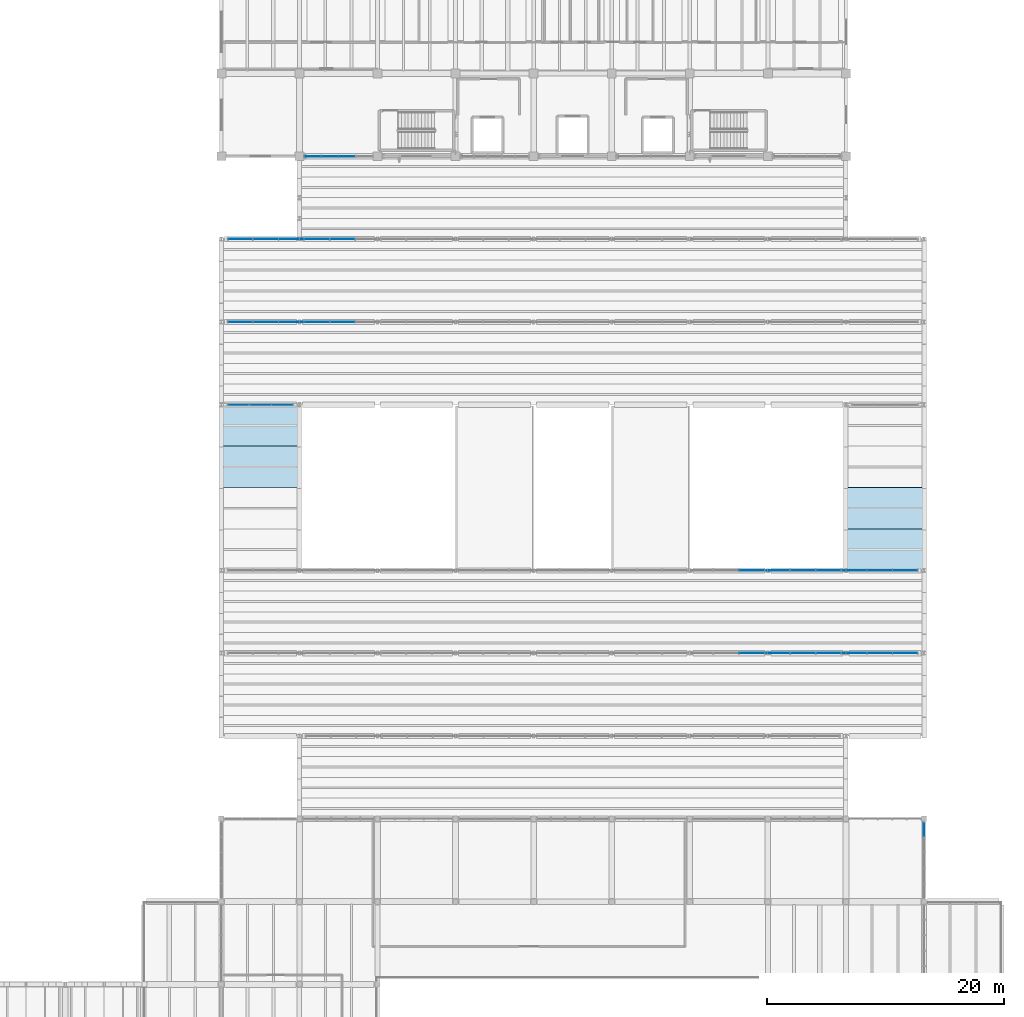
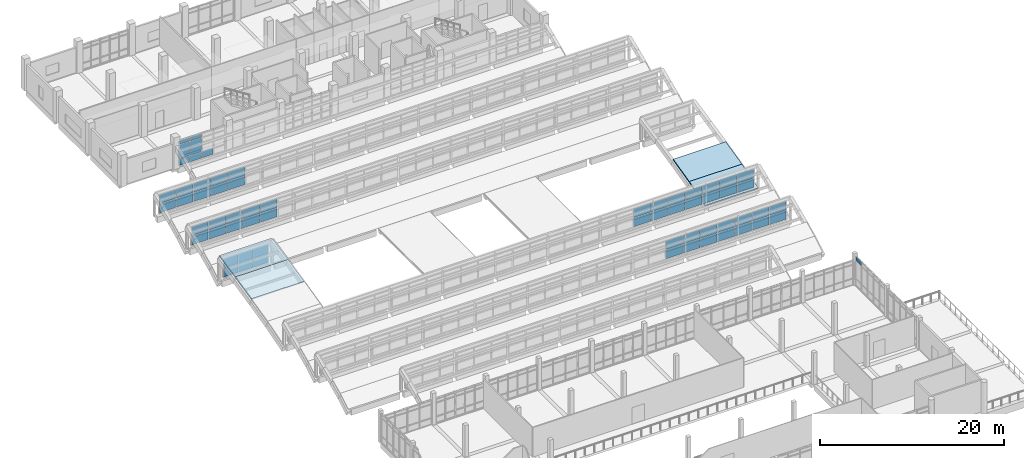
# One storey, part 71 of 92: 62 plates, 4 slabs, 8 elements without a shape of their own.
"""IFC4 building model written with IfcOpenShell, lengths in metres."""

from ifc_helpers import new_model, si_unit, direction, frame, origin, origin_2d, place, context, subcontext, project, spatial, polyline, rectangle, outline, extrude, material, layer, layer_set, type_object, element, aggregate, save


model = new_model("IFC4")

# Units and contexts
model_context = context("Model", 3, precision=1e-05, world=origin(), true_north=direction((0.0, 1.0)))
body_context = subcontext(model_context, "Body", "Model", "MODEL_VIEW")
ifc_project = project(units=[si_unit("LENGTHUNIT", "METRE"), si_unit("AREAUNIT", "SQUARE_METRE"), si_unit("VOLUMEUNIT", "CUBIC_METRE"), si_unit("PLANEANGLEUNIT", "RADIAN"), si_unit("MASSUNIT", "GRAM", prefix="KILO")], contexts=[model_context])

# Site, building, storey
site_placement = place(None, origin())
site = spatial("IfcSite", under=ifc_project, at=site_placement, CompositionType="ELEMENT")
building_placement = place(site_placement, origin())
building = spatial("IfcBuilding", under=site, at=building_placement, Name="Ciguamira Faculty of Natural Sciences", CompositionType="ELEMENT")
storey_placement = place(building_placement, frame((0.0, 0.0, 16.800048828125)))
storey = spatial("IfcBuildingStorey", under=building, at=storey_placement, Name="L04", CompositionType="ELEMENT", Elevation=16.800048828125)

# Curtain wall, plate
ifc_material_1 = material(Name="Anodized aluminium curtain wall", Category="aluminium")
curtain_wall_type_1 = type_object("IfcCurtainWallType", Name="CurtainWall_CW-01", PredefinedType="USERDEFINED", material=ifc_material_1)
curtain_wall_1_placement = place(storey_placement, origin())
curtain_wall_1 = element("IfcCurtainWall", 1, at=curtain_wall_1_placement, inside=storey, type_object=curtain_wall_type_1, Name="L04 unitised curtain wall 0133", ObjectType="UNITISED CURTAIN WALL", PredefinedType="USERDEFINED")
ifc_material_2 = material(Name="Low-E laminated solar glass", Category="glass")
ifc_layer_1 = layer(ifc_material_2, 0.028076171875, Name="Low-E laminated solar glass")
ifc_layer_set_1 = layer_set([ifc_layer_1], Name="Low-E laminated solar glass")
plate_type_1 = type_object("IfcPlateType", Name="CWPanel_CWP-01", PredefinedType="CURTAIN_PANEL", material=ifc_layer_set_1)
plate_1_placement = place(storey_placement, frame((116.699951171875, 37.10498046875, 3.330078125), z_axis=(0.0, 0.0, 1.0), x_axis=(0.0, 1.0, 0.0)))
plate_1 = element("IfcPlate", 2, at=plate_1_placement, type_object=plate_type_1, Name="CW-01 panel 5.3", PredefinedType="CURTAIN_PANEL", context=body_context, shape_type="SweptSolid", body=[
    extrude(rectangle(XDim=1.219970703125, YDim=0.028076171875, at=origin_2d()), origin(), (0.0, 0.0, 1.0), 0.4599609375),
])
aggregate(curtain_wall_1, [plate_1])

# Curtain wall, plates
curtain_wall_type_2 = type_object("IfcCurtainWallType", Name="CurtainWall_CW-02", PredefinedType="USERDEFINED", material=ifc_material_1)
curtain_wall_2_placement = place(storey_placement, origin())
curtain_wall_2 = element("IfcCurtainWall", 3, at=curtain_wall_2_placement, inside=storey, type_object=curtain_wall_type_2, Name="L04 unitised curtain wall 0122", ObjectType="UNITISED CURTAIN WALL", PredefinedType="USERDEFINED")
ifc_layer_2 = layer(ifc_material_2, 0.035888671875, Name="Low-E laminated solar glass")
ifc_layer_set_2 = layer_set([ifc_layer_2], Name="Low-E laminated solar glass")
plate_type_2 = type_object("IfcPlateType", Name="CWPanel_CWP-02", PredefinedType="CURTAIN_PANEL", material=ifc_layer_set_2)
plate_2_placement = place(storey_placement, frame((65.023681640625, 94.0, 0.070068359375), z_axis=(0.0, 0.0, 1.0), x_axis=(1.0, 0.0, 0.0)))
plate_2 = element("IfcPlate", 4, at=plate_2_placement, type_object=plate_type_2, Name="CW-02 panel 1.1", PredefinedType="CURTAIN_PANEL", context=body_context, shape_type="SweptSolid", body=[
    extrude(rectangle(XDim=1.357421875, YDim=0.035888671875, at=origin_2d()), origin(), (0.0, 0.0, 1.0), 0.794921875),
])
plate_3_placement = place(storey_placement, frame((65.023681640625, 94.0, 0.93505859375), z_axis=(0.0, 0.0, 1.0), x_axis=(1.0, 0.0, 0.0)))
plate_3 = element("IfcPlate", 5, at=plate_3_placement, type_object=plate_type_2, Name="CW-02 panel 1.2", PredefinedType="CURTAIN_PANEL", context=body_context, shape_type="SweptSolid", body=[
    extrude(rectangle(XDim=1.357421875, YDim=0.035888671875, at=origin_2d()), origin(), (0.0, 0.0, 1.0), 1.844970703125),
])
plate_4_placement = place(storey_placement, frame((65.023681640625, 94.0, 2.85009765625), z_axis=(0.0, 0.0, 1.0), x_axis=(1.0, 0.0, 0.0)))
plate_4 = element("IfcPlate", 6, at=plate_4_placement, type_object=plate_type_2, Name="CW-02 panel 1.3", PredefinedType="CURTAIN_PANEL", context=body_context, shape_type="SweptSolid", body=[
    extrude(rectangle(XDim=1.357421875, YDim=0.035888671875, at=origin_2d()), origin(), (0.0, 0.0, 1.0), 0.445068359375),
])
plate_5_placement = place(storey_placement, frame((66.46875, 94.0, 0.070068359375), z_axis=(0.0, 0.0, 1.0), x_axis=(1.0, 0.0, 0.0)))
plate_5 = element("IfcPlate", 7, at=plate_5_placement, type_object=plate_type_2, Name="CW-02 panel 2.1", PredefinedType="CURTAIN_PANEL", context=body_context, shape_type="SweptSolid", body=[
    extrude(rectangle(XDim=1.392578125, YDim=0.035888671875, at=origin_2d()), origin(), (0.0, 0.0, 1.0), 0.794921875),
])
plate_6_placement = place(storey_placement, frame((66.46875, 94.0, 0.93505859375), z_axis=(0.0, 0.0, 1.0), x_axis=(1.0, 0.0, 0.0)))
plate_6 = element("IfcPlate", 8, at=plate_6_placement, type_object=plate_type_2, Name="CW-02 panel 2.2", PredefinedType="CURTAIN_PANEL", context=body_context, shape_type="SweptSolid", body=[
    extrude(rectangle(XDim=1.392578125, YDim=0.035888671875, at=origin_2d()), origin(), (0.0, 0.0, 1.0), 1.844970703125),
])
plate_7_placement = place(storey_placement, frame((66.46875, 94.0, 2.85009765625), z_axis=(0.0, 0.0, 1.0), x_axis=(1.0, 0.0, 0.0)))
plate_7 = element("IfcPlate", 9, at=plate_7_placement, type_object=plate_type_2, Name="CW-02 panel 2.3", PredefinedType="CURTAIN_PANEL", context=body_context, shape_type="SweptSolid", body=[
    extrude(rectangle(XDim=1.392578125, YDim=0.035888671875, at=origin_2d()), origin(), (0.0, 0.0, 1.0), 0.445068359375),
])
plate_8_placement = place(storey_placement, frame((67.93115234375, 94.0, 0.070068359375), z_axis=(0.0, 0.0, 1.0), x_axis=(1.0, 0.0, 0.0)))
plate_8 = element("IfcPlate", 10, at=plate_8_placement, type_object=plate_type_2, Name="CW-02 panel 3.1", PredefinedType="CURTAIN_PANEL", context=body_context, shape_type="SweptSolid", body=[
    extrude(rectangle(XDim=1.392578125, YDim=0.035888671875, at=origin_2d()), origin(), (0.0, 0.0, 1.0), 0.794921875),
])
aggregate(curtain_wall_2, [plate_2, plate_3, plate_4, plate_5, plate_6, plate_7, plate_8])

curtain_wall_type_3 = type_object("IfcCurtainWallType", Name="CurtainWall_CW-03", PredefinedType="USERDEFINED", material=ifc_material_1)
curtain_wall_3_placement = place(storey_placement, origin())
curtain_wall_3 = element("IfcCurtainWall", 11, at=curtain_wall_3_placement, inside=storey, type_object=curtain_wall_type_3, Name="V4 north-light wave 2 clerestory glazing 1", ObjectType="UNITISED CURTAIN WALL", PredefinedType="USERDEFINED")
plate_9_placement = place(storey_placement, frame((102.140625, 52.0, 0.31982421875), z_axis=(0.0, 0.0, 1.0), x_axis=(1.0, 0.0, 0.0)))
plate_9 = element("IfcPlate", 12, at=plate_9_placement, type_object=plate_type_2, Name="CW-03 panel 21.1", PredefinedType="CURTAIN_PANEL", context=body_context, shape_type="SweptSolid", body=[
    extrude(rectangle(XDim=2.093017578125, YDim=0.035888671875, at=origin_2d()), origin(), (0.0, 0.0, 1.0), 1.14501953125),
])
plate_10_placement = place(storey_placement, frame((102.140625, 52.0, 1.534912109375), z_axis=(0.0, 0.0, 1.0), x_axis=(1.0, 0.0, 0.0)))
plate_10 = element("IfcPlate", 13, at=plate_10_placement, type_object=plate_type_2, Name="CW-03 panel 21.2", PredefinedType="CURTAIN_PANEL", context=body_context, shape_type="SweptSolid", body=[
    extrude(rectangle(XDim=2.093017578125, YDim=0.035888671875, at=origin_2d()), origin(), (0.0, 0.0, 1.0), 1.14501953125),
])
plate_11_placement = place(storey_placement, frame((104.3037109375, 52.0, 0.31982421875), z_axis=(0.0, 0.0, 1.0), x_axis=(1.0, 0.0, 0.0)))
plate_11 = element("IfcPlate", 14, at=plate_11_placement, type_object=plate_type_2, Name="CW-03 panel 22.1", PredefinedType="CURTAIN_PANEL", context=body_context, shape_type="SweptSolid", body=[
    extrude(rectangle(XDim=2.093017578125, YDim=0.035888671875, at=origin_2d()), origin(), (0.0, 0.0, 1.0), 1.14501953125),
])
plate_12_placement = place(storey_placement, frame((104.3037109375, 52.0, 1.534912109375), z_axis=(0.0, 0.0, 1.0), x_axis=(1.0, 0.0, 0.0)))
plate_12 = element("IfcPlate", 15, at=plate_12_placement, type_object=plate_type_2, Name="CW-03 panel 22.2", PredefinedType="CURTAIN_PANEL", context=body_context, shape_type="SweptSolid", body=[
    extrude(rectangle(XDim=2.093017578125, YDim=0.035888671875, at=origin_2d()), origin(), (0.0, 0.0, 1.0), 1.14501953125),
])
plate_13_placement = place(storey_placement, frame((106.466552734375, 52.0, 0.31982421875), z_axis=(0.0, 0.0, 1.0), x_axis=(1.0, 0.0, 0.0)))
plate_13 = element("IfcPlate", 16, at=plate_13_placement, type_object=plate_type_2, Name="CW-03 panel 23.1", PredefinedType="CURTAIN_PANEL", context=body_context, shape_type="SweptSolid", body=[
    extrude(rectangle(XDim=2.093017578125, YDim=0.035888671875, at=origin_2d()), origin(), (0.0, 0.0, 1.0), 1.14501953125),
])
plate_14_placement = place(storey_placement, frame((106.466552734375, 52.0, 1.534912109375), z_axis=(0.0, 0.0, 1.0), x_axis=(1.0, 0.0, 0.0)))
plate_14 = element("IfcPlate", 17, at=plate_14_placement, type_object=plate_type_2, Name="CW-03 panel 23.2", PredefinedType="CURTAIN_PANEL", context=body_context, shape_type="SweptSolid", body=[
    extrude(rectangle(XDim=2.093017578125, YDim=0.035888671875, at=origin_2d()), origin(), (0.0, 0.0, 1.0), 1.14501953125),
])
plate_15_placement = place(storey_placement, frame((108.629638671875, 52.0, 0.31982421875), z_axis=(0.0, 0.0, 1.0), x_axis=(1.0, 0.0, 0.0)))
plate_15 = element("IfcPlate", 18, at=plate_15_placement, type_object=plate_type_2, Name="CW-03 panel 24.1", PredefinedType="CURTAIN_PANEL", context=body_context, shape_type="SweptSolid", body=[
    extrude(rectangle(XDim=2.093017578125, YDim=0.035888671875, at=origin_2d()), origin(), (0.0, 0.0, 1.0), 1.14501953125),
])
plate_16_placement = place(storey_placement, frame((108.629638671875, 52.0, 1.534912109375), z_axis=(0.0, 0.0, 1.0), x_axis=(1.0, 0.0, 0.0)))
plate_16 = element("IfcPlate", 19, at=plate_16_placement, type_object=plate_type_2, Name="CW-03 panel 24.2", PredefinedType="CURTAIN_PANEL", context=body_context, shape_type="SweptSolid", body=[
    extrude(rectangle(XDim=2.093017578125, YDim=0.035888671875, at=origin_2d()), origin(), (0.0, 0.0, 1.0), 1.14501953125),
])
plate_17_placement = place(storey_placement, frame((110.79248046875, 52.0, 0.31982421875), z_axis=(0.0, 0.0, 1.0), x_axis=(1.0, 0.0, 0.0)))
plate_17 = element("IfcPlate", 20, at=plate_17_placement, type_object=plate_type_2, Name="CW-03 panel 25.1", PredefinedType="CURTAIN_PANEL", context=body_context, shape_type="SweptSolid", body=[
    extrude(rectangle(XDim=2.093017578125, YDim=0.035888671875, at=origin_2d()), origin(), (0.0, 0.0, 1.0), 1.14501953125),
])
plate_18_placement = place(storey_placement, frame((110.79248046875, 52.0, 1.534912109375), z_axis=(0.0, 0.0, 1.0), x_axis=(1.0, 0.0, 0.0)))
plate_18 = element("IfcPlate", 21, at=plate_18_placement, type_object=plate_type_2, Name="CW-03 panel 25.2", PredefinedType="CURTAIN_PANEL", context=body_context, shape_type="SweptSolid", body=[
    extrude(rectangle(XDim=2.093017578125, YDim=0.035888671875, at=origin_2d()), origin(), (0.0, 0.0, 1.0), 1.14501953125),
])
plate_19_placement = place(storey_placement, frame((112.95556640625, 52.0, 0.31982421875), z_axis=(0.0, 0.0, 1.0), x_axis=(1.0, 0.0, 0.0)))
plate_19 = element("IfcPlate", 22, at=plate_19_placement, type_object=plate_type_2, Name="CW-03 panel 26.1", PredefinedType="CURTAIN_PANEL", context=body_context, shape_type="SweptSolid", body=[
    extrude(rectangle(XDim=2.093017578125, YDim=0.035888671875, at=origin_2d()), origin(), (0.0, 0.0, 1.0), 1.14501953125),
])
plate_20_placement = place(storey_placement, frame((112.95556640625, 52.0, 1.534912109375), z_axis=(0.0, 0.0, 1.0), x_axis=(1.0, 0.0, 0.0)))
plate_20 = element("IfcPlate", 23, at=plate_20_placement, type_object=plate_type_2, Name="CW-03 panel 26.2", PredefinedType="CURTAIN_PANEL", context=body_context, shape_type="SweptSolid", body=[
    extrude(rectangle(XDim=2.093017578125, YDim=0.035888671875, at=origin_2d()), origin(), (0.0, 0.0, 1.0), 1.14501953125),
])
plate_21_placement = place(storey_placement, frame((115.10107421875, 52.0, 0.31982421875), z_axis=(0.0, 0.0, 1.0), x_axis=(1.0, 0.0, 0.0)))
plate_21 = element("IfcPlate", 24, at=plate_21_placement, type_object=plate_type_2, Name="CW-03 panel 27.1", PredefinedType="CURTAIN_PANEL", context=body_context, shape_type="SweptSolid", body=[
    extrude(rectangle(XDim=2.057861328125, YDim=0.035888671875, at=origin_2d()), origin(), (0.0, 0.0, 1.0), 1.14501953125),
])
plate_22_placement = place(storey_placement, frame((115.10107421875, 52.0, 1.534912109375), z_axis=(0.0, 0.0, 1.0), x_axis=(1.0, 0.0, 0.0)))
plate_22 = element("IfcPlate", 25, at=plate_22_placement, type_object=plate_type_2, Name="CW-03 panel 27.2", PredefinedType="CURTAIN_PANEL", context=body_context, shape_type="SweptSolid", body=[
    extrude(rectangle(XDim=2.057861328125, YDim=0.035888671875, at=origin_2d()), origin(), (0.0, 0.0, 1.0), 1.14501953125),
])
aggregate(curtain_wall_3, [plate_9, plate_10, plate_11, plate_12, plate_13, plate_14, plate_15, plate_16, plate_17, plate_18, plate_19, plate_20, plate_21, plate_22])

curtain_wall_type_4 = type_object("IfcCurtainWallType", Name="CurtainWall_CW-04", PredefinedType="USERDEFINED", material=ifc_material_1)
curtain_wall_4_placement = place(storey_placement, origin())
curtain_wall_4 = element("IfcCurtainWall", 26, at=curtain_wall_4_placement, inside=storey, type_object=curtain_wall_type_4, Name="V4 north-light wave 3 clerestory glazing 1", ObjectType="UNITISED CURTAIN WALL", PredefinedType="USERDEFINED")
plate_23_placement = place(storey_placement, frame((102.140625, 59.0, 0.31982421875), z_axis=(0.0, 0.0, 1.0), x_axis=(1.0, 0.0, 0.0)))
plate_23 = element("IfcPlate", 27, at=plate_23_placement, type_object=plate_type_2, Name="CW-04 panel 21.1", PredefinedType="CURTAIN_PANEL", context=body_context, shape_type="SweptSolid", body=[
    extrude(rectangle(XDim=2.093017578125, YDim=0.035888671875, at=origin_2d()), origin(), (0.0, 0.0, 1.0), 1.14501953125),
])
plate_24_placement = place(storey_placement, frame((102.140625, 59.0, 1.534912109375), z_axis=(0.0, 0.0, 1.0), x_axis=(1.0, 0.0, 0.0)))
plate_24 = element("IfcPlate", 28, at=plate_24_placement, type_object=plate_type_2, Name="CW-04 panel 21.2", PredefinedType="CURTAIN_PANEL", context=body_context, shape_type="SweptSolid", body=[
    extrude(rectangle(XDim=2.093017578125, YDim=0.035888671875, at=origin_2d()), origin(), (0.0, 0.0, 1.0), 1.14501953125),
])
plate_25_placement = place(storey_placement, frame((104.3037109375, 59.0, 0.31982421875), z_axis=(0.0, 0.0, 1.0), x_axis=(1.0, 0.0, 0.0)))
plate_25 = element("IfcPlate", 29, at=plate_25_placement, type_object=plate_type_2, Name="CW-04 panel 22.1", PredefinedType="CURTAIN_PANEL", context=body_context, shape_type="SweptSolid", body=[
    extrude(rectangle(XDim=2.093017578125, YDim=0.035888671875, at=origin_2d()), origin(), (0.0, 0.0, 1.0), 1.14501953125),
])
plate_26_placement = place(storey_placement, frame((104.3037109375, 59.0, 1.534912109375), z_axis=(0.0, 0.0, 1.0), x_axis=(1.0, 0.0, 0.0)))
plate_26 = element("IfcPlate", 30, at=plate_26_placement, type_object=plate_type_2, Name="CW-04 panel 22.2", PredefinedType="CURTAIN_PANEL", context=body_context, shape_type="SweptSolid", body=[
    extrude(rectangle(XDim=2.093017578125, YDim=0.035888671875, at=origin_2d()), origin(), (0.0, 0.0, 1.0), 1.14501953125),
])
plate_27_placement = place(storey_placement, frame((106.466552734375, 59.0, 0.31982421875), z_axis=(0.0, 0.0, 1.0), x_axis=(1.0, 0.0, 0.0)))
plate_27 = element("IfcPlate", 31, at=plate_27_placement, type_object=plate_type_2, Name="CW-04 panel 23.1", PredefinedType="CURTAIN_PANEL", context=body_context, shape_type="SweptSolid", body=[
    extrude(rectangle(XDim=2.093017578125, YDim=0.035888671875, at=origin_2d()), origin(), (0.0, 0.0, 1.0), 1.14501953125),
])
plate_28_placement = place(storey_placement, frame((106.466552734375, 59.0, 1.534912109375), z_axis=(0.0, 0.0, 1.0), x_axis=(1.0, 0.0, 0.0)))
plate_28 = element("IfcPlate", 32, at=plate_28_placement, type_object=plate_type_2, Name="CW-04 panel 23.2", PredefinedType="CURTAIN_PANEL", context=body_context, shape_type="SweptSolid", body=[
    extrude(rectangle(XDim=2.093017578125, YDim=0.035888671875, at=origin_2d()), origin(), (0.0, 0.0, 1.0), 1.14501953125),
])
plate_29_placement = place(storey_placement, frame((108.629638671875, 59.0, 0.31982421875), z_axis=(0.0, 0.0, 1.0), x_axis=(1.0, 0.0, 0.0)))
plate_29 = element("IfcPlate", 33, at=plate_29_placement, type_object=plate_type_2, Name="CW-04 panel 24.1", PredefinedType="CURTAIN_PANEL", context=body_context, shape_type="SweptSolid", body=[
    extrude(rectangle(XDim=2.093017578125, YDim=0.035888671875, at=origin_2d()), origin(), (0.0, 0.0, 1.0), 1.14501953125),
])
plate_30_placement = place(storey_placement, frame((108.629638671875, 59.0, 1.534912109375), z_axis=(0.0, 0.0, 1.0), x_axis=(1.0, 0.0, 0.0)))
plate_30 = element("IfcPlate", 34, at=plate_30_placement, type_object=plate_type_2, Name="CW-04 panel 24.2", PredefinedType="CURTAIN_PANEL", context=body_context, shape_type="SweptSolid", body=[
    extrude(rectangle(XDim=2.093017578125, YDim=0.035888671875, at=origin_2d()), origin(), (0.0, 0.0, 1.0), 1.14501953125),
])
plate_31_placement = place(storey_placement, frame((110.79248046875, 59.0, 0.31982421875), z_axis=(0.0, 0.0, 1.0), x_axis=(1.0, 0.0, 0.0)))
plate_31 = element("IfcPlate", 35, at=plate_31_placement, type_object=plate_type_2, Name="CW-04 panel 25.1", PredefinedType="CURTAIN_PANEL", context=body_context, shape_type="SweptSolid", body=[
    extrude(rectangle(XDim=2.093017578125, YDim=0.035888671875, at=origin_2d()), origin(), (0.0, 0.0, 1.0), 1.14501953125),
])
plate_32_placement = place(storey_placement, frame((110.79248046875, 59.0, 1.534912109375), z_axis=(0.0, 0.0, 1.0), x_axis=(1.0, 0.0, 0.0)))
plate_32 = element("IfcPlate", 36, at=plate_32_placement, type_object=plate_type_2, Name="CW-04 panel 25.2", PredefinedType="CURTAIN_PANEL", context=body_context, shape_type="SweptSolid", body=[
    extrude(rectangle(XDim=2.093017578125, YDim=0.035888671875, at=origin_2d()), origin(), (0.0, 0.0, 1.0), 1.14501953125),
])
plate_33_placement = place(storey_placement, frame((112.95556640625, 59.0, 0.31982421875), z_axis=(0.0, 0.0, 1.0), x_axis=(1.0, 0.0, 0.0)))
plate_33 = element("IfcPlate", 37, at=plate_33_placement, type_object=plate_type_2, Name="CW-04 panel 26.1", PredefinedType="CURTAIN_PANEL", context=body_context, shape_type="SweptSolid", body=[
    extrude(rectangle(XDim=2.093017578125, YDim=0.035888671875, at=origin_2d()), origin(), (0.0, 0.0, 1.0), 1.14501953125),
])
plate_34_placement = place(storey_placement, frame((112.95556640625, 59.0, 1.534912109375), z_axis=(0.0, 0.0, 1.0), x_axis=(1.0, 0.0, 0.0)))
plate_34 = element("IfcPlate", 38, at=plate_34_placement, type_object=plate_type_2, Name="CW-04 panel 26.2", PredefinedType="CURTAIN_PANEL", context=body_context, shape_type="SweptSolid", body=[
    extrude(rectangle(XDim=2.093017578125, YDim=0.035888671875, at=origin_2d()), origin(), (0.0, 0.0, 1.0), 1.14501953125),
])
plate_35_placement = place(storey_placement, frame((115.10107421875, 59.0, 0.31982421875), z_axis=(0.0, 0.0, 1.0), x_axis=(1.0, 0.0, 0.0)))
plate_35 = element("IfcPlate", 39, at=plate_35_placement, type_object=plate_type_2, Name="CW-04 panel 27.1", PredefinedType="CURTAIN_PANEL", context=body_context, shape_type="SweptSolid", body=[
    extrude(rectangle(XDim=2.057861328125, YDim=0.035888671875, at=origin_2d()), origin(), (0.0, 0.0, 1.0), 1.14501953125),
])
plate_36_placement = place(storey_placement, frame((115.10107421875, 59.0, 1.534912109375), z_axis=(0.0, 0.0, 1.0), x_axis=(1.0, 0.0, 0.0)))
plate_36 = element("IfcPlate", 40, at=plate_36_placement, type_object=plate_type_2, Name="CW-04 panel 27.2", PredefinedType="CURTAIN_PANEL", context=body_context, shape_type="SweptSolid", body=[
    extrude(rectangle(XDim=2.057861328125, YDim=0.035888671875, at=origin_2d()), origin(), (0.0, 0.0, 1.0), 1.14501953125),
])
aggregate(curtain_wall_4, [plate_23, plate_24, plate_25, plate_26, plate_27, plate_28, plate_29, plate_30, plate_31, plate_32, plate_33, plate_34, plate_35, plate_36])

curtain_wall_type_5 = type_object("IfcCurtainWallType", Name="CurtainWall_CW-05", PredefinedType="USERDEFINED", material=ifc_material_1)
curtain_wall_5_placement = place(storey_placement, origin())
curtain_wall_5 = element("IfcCurtainWall", 41, at=curtain_wall_5_placement, inside=storey, type_object=curtain_wall_type_5, Name="V4 north-light wave 4 clerestory glazing 1", ObjectType="UNITISED CURTAIN WALL", PredefinedType="USERDEFINED")
plate_37_placement = place(storey_placement, frame((58.750732421875, 73.0, 0.31982421875), z_axis=(0.0, 0.0, 1.0), x_axis=(1.0, 0.0, 0.0)))
plate_37 = element("IfcPlate", 42, at=plate_37_placement, type_object=plate_type_2, Name="CW-05 panel 1.1", PredefinedType="CURTAIN_PANEL", context=body_context, shape_type="SweptSolid", body=[
    extrude(rectangle(XDim=1.76171875, YDim=0.035888671875, at=origin_2d()), origin(), (0.0, 0.0, 1.0), 1.14501953125),
])
plate_38_placement = place(storey_placement, frame((58.750732421875, 73.0, 1.534912109375), z_axis=(0.0, 0.0, 1.0), x_axis=(1.0, 0.0, 0.0)))
plate_38 = element("IfcPlate", 43, at=plate_38_placement, type_object=plate_type_2, Name="CW-05 panel 1.2", PredefinedType="CURTAIN_PANEL", context=body_context, shape_type="SweptSolid", body=[
    extrude(rectangle(XDim=1.76171875, YDim=0.035888671875, at=origin_2d()), origin(), (0.0, 0.0, 1.0), 1.14501953125),
])
plate_39_placement = place(storey_placement, frame((60.60009765625, 73.0, 0.31982421875), z_axis=(0.0, 0.0, 1.0), x_axis=(1.0, 0.0, 0.0)))
plate_39 = element("IfcPlate", 44, at=plate_39_placement, type_object=plate_type_2, Name="CW-05 panel 2.1", PredefinedType="CURTAIN_PANEL", context=body_context, shape_type="SweptSolid", body=[
    extrude(rectangle(XDim=1.796630859375, YDim=0.035888671875, at=origin_2d()), origin(), (0.0, 0.0, 1.0), 1.14501953125),
])
plate_40_placement = place(storey_placement, frame((60.60009765625, 73.0, 1.534912109375), z_axis=(0.0, 0.0, 1.0), x_axis=(1.0, 0.0, 0.0)))
plate_40 = element("IfcPlate", 45, at=plate_40_placement, type_object=plate_type_2, Name="CW-05 panel 2.2", PredefinedType="CURTAIN_PANEL", context=body_context, shape_type="SweptSolid", body=[
    extrude(rectangle(XDim=1.796630859375, YDim=0.035888671875, at=origin_2d()), origin(), (0.0, 0.0, 1.0), 1.14501953125),
])
plate_41_placement = place(storey_placement, frame((62.44921875, 73.0, 0.31982421875), z_axis=(0.0, 0.0, 1.0), x_axis=(1.0, 0.0, 0.0)))
plate_41 = element("IfcPlate", 46, at=plate_41_placement, type_object=plate_type_2, Name="CW-05 panel 3.1", PredefinedType="CURTAIN_PANEL", context=body_context, shape_type="SweptSolid", body=[
    extrude(rectangle(XDim=1.76171875, YDim=0.035888671875, at=origin_2d()), origin(), (0.0, 0.0, 1.0), 1.14501953125),
])
plate_42_placement = place(storey_placement, frame((62.44921875, 73.0, 1.534912109375), z_axis=(0.0, 0.0, 1.0), x_axis=(1.0, 0.0, 0.0)))
plate_42 = element("IfcPlate", 47, at=plate_42_placement, type_object=plate_type_2, Name="CW-05 panel 3.2", PredefinedType="CURTAIN_PANEL", context=body_context, shape_type="SweptSolid", body=[
    extrude(rectangle(XDim=1.76171875, YDim=0.035888671875, at=origin_2d()), origin(), (0.0, 0.0, 1.0), 1.14501953125),
])
aggregate(curtain_wall_5, [plate_37, plate_38, plate_39, plate_40, plate_41, plate_42])

curtain_wall_type_6 = type_object("IfcCurtainWallType", Name="CurtainWall_CW-07", PredefinedType="USERDEFINED", material=ifc_material_1)
curtain_wall_6_placement = place(storey_placement, origin())
curtain_wall_6 = element("IfcCurtainWall", 48, at=curtain_wall_6_placement, inside=storey, type_object=curtain_wall_type_6, Name="V4 north-light wave 5 clerestory glazing 1", ObjectType="UNITISED CURTAIN WALL", PredefinedType="USERDEFINED")
plate_43_placement = place(storey_placement, frame((58.89892578125, 80.0, 0.31982421875), z_axis=(0.0, 0.0, 1.0), x_axis=(1.0, 0.0, 0.0)))
plate_43 = element("IfcPlate", 49, at=plate_43_placement, type_object=plate_type_2, Name="CW-07 panel 1.1", PredefinedType="CURTAIN_PANEL", context=body_context, shape_type="SweptSolid", body=[
    extrude(rectangle(XDim=2.057861328125, YDim=0.035888671875, at=origin_2d()), origin(), (0.0, 0.0, 1.0), 1.14501953125),
])
plate_44_placement = place(storey_placement, frame((58.89892578125, 80.0, 1.534912109375), z_axis=(0.0, 0.0, 1.0), x_axis=(1.0, 0.0, 0.0)))
plate_44 = element("IfcPlate", 50, at=plate_44_placement, type_object=plate_type_2, Name="CW-07 panel 1.2", PredefinedType="CURTAIN_PANEL", context=body_context, shape_type="SweptSolid", body=[
    extrude(rectangle(XDim=2.057861328125, YDim=0.035888671875, at=origin_2d()), origin(), (0.0, 0.0, 1.0), 1.14501953125),
])
plate_45_placement = place(storey_placement, frame((61.04443359375, 80.0, 0.31982421875), z_axis=(0.0, 0.0, 1.0), x_axis=(1.0, 0.0, 0.0)))
plate_45 = element("IfcPlate", 51, at=plate_45_placement, type_object=plate_type_2, Name="CW-07 panel 2.1", PredefinedType="CURTAIN_PANEL", context=body_context, shape_type="SweptSolid", body=[
    extrude(rectangle(XDim=2.093017578125, YDim=0.035888671875, at=origin_2d()), origin(), (0.0, 0.0, 1.0), 1.14501953125),
])
plate_46_placement = place(storey_placement, frame((61.04443359375, 80.0, 1.534912109375), z_axis=(0.0, 0.0, 1.0), x_axis=(1.0, 0.0, 0.0)))
plate_46 = element("IfcPlate", 52, at=plate_46_placement, type_object=plate_type_2, Name="CW-07 panel 2.2", PredefinedType="CURTAIN_PANEL", context=body_context, shape_type="SweptSolid", body=[
    extrude(rectangle(XDim=2.093017578125, YDim=0.035888671875, at=origin_2d()), origin(), (0.0, 0.0, 1.0), 1.14501953125),
])
plate_47_placement = place(storey_placement, frame((63.20751953125, 80.0, 0.31982421875), z_axis=(0.0, 0.0, 1.0), x_axis=(1.0, 0.0, 0.0)))
plate_47 = element("IfcPlate", 53, at=plate_47_placement, type_object=plate_type_2, Name="CW-07 panel 3.1", PredefinedType="CURTAIN_PANEL", context=body_context, shape_type="SweptSolid", body=[
    extrude(rectangle(XDim=2.093017578125, YDim=0.035888671875, at=origin_2d()), origin(), (0.0, 0.0, 1.0), 1.14501953125),
])
plate_48_placement = place(storey_placement, frame((63.20751953125, 80.0, 1.534912109375), z_axis=(0.0, 0.0, 1.0), x_axis=(1.0, 0.0, 0.0)))
plate_48 = element("IfcPlate", 54, at=plate_48_placement, type_object=plate_type_2, Name="CW-07 panel 3.2", PredefinedType="CURTAIN_PANEL", context=body_context, shape_type="SweptSolid", body=[
    extrude(rectangle(XDim=2.093017578125, YDim=0.035888671875, at=origin_2d()), origin(), (0.0, 0.0, 1.0), 1.14501953125),
])
plate_49_placement = place(storey_placement, frame((65.370361328125, 80.0, 0.31982421875), z_axis=(0.0, 0.0, 1.0), x_axis=(1.0, 0.0, 0.0)))
plate_49 = element("IfcPlate", 55, at=plate_49_placement, type_object=plate_type_2, Name="CW-07 panel 4.1", PredefinedType="CURTAIN_PANEL", context=body_context, shape_type="SweptSolid", body=[
    extrude(rectangle(XDim=2.093017578125, YDim=0.035888671875, at=origin_2d()), origin(), (0.0, 0.0, 1.0), 1.14501953125),
])
plate_50_placement = place(storey_placement, frame((65.370361328125, 80.0, 1.534912109375), z_axis=(0.0, 0.0, 1.0), x_axis=(1.0, 0.0, 0.0)))
plate_50 = element("IfcPlate", 56, at=plate_50_placement, type_object=plate_type_2, Name="CW-07 panel 4.2", PredefinedType="CURTAIN_PANEL", context=body_context, shape_type="SweptSolid", body=[
    extrude(rectangle(XDim=2.093017578125, YDim=0.035888671875, at=origin_2d()), origin(), (0.0, 0.0, 1.0), 1.14501953125),
])
plate_51_placement = place(storey_placement, frame((67.533447265625, 80.0, 0.31982421875), z_axis=(0.0, 0.0, 1.0), x_axis=(1.0, 0.0, 0.0)))
plate_51 = element("IfcPlate", 57, at=plate_51_placement, type_object=plate_type_2, Name="CW-07 panel 5.1", PredefinedType="CURTAIN_PANEL", context=body_context, shape_type="SweptSolid", body=[
    extrude(rectangle(XDim=2.093017578125, YDim=0.035888671875, at=origin_2d()), origin(), (0.0, 0.0, 1.0), 1.14501953125),
])
plate_52_placement = place(storey_placement, frame((67.533447265625, 80.0, 1.534912109375), z_axis=(0.0, 0.0, 1.0), x_axis=(1.0, 0.0, 0.0)))
plate_52 = element("IfcPlate", 58, at=plate_52_placement, type_object=plate_type_2, Name="CW-07 panel 5.2", PredefinedType="CURTAIN_PANEL", context=body_context, shape_type="SweptSolid", body=[
    extrude(rectangle(XDim=2.093017578125, YDim=0.035888671875, at=origin_2d()), origin(), (0.0, 0.0, 1.0), 1.14501953125),
])
aggregate(curtain_wall_6, [plate_43, plate_44, plate_45, plate_46, plate_47, plate_48, plate_49, plate_50, plate_51, plate_52])

curtain_wall_type_7 = type_object("IfcCurtainWallType", Name="CurtainWall_CW-08", PredefinedType="USERDEFINED", material=ifc_material_1)
curtain_wall_7_placement = place(storey_placement, origin())
curtain_wall_7 = element("IfcCurtainWall", 59, at=curtain_wall_7_placement, inside=storey, type_object=curtain_wall_type_7, Name="V4 north-light wave 6 clerestory glazing 1", ObjectType="UNITISED CURTAIN WALL", PredefinedType="USERDEFINED")
plate_53_placement = place(storey_placement, frame((58.89892578125, 87.0, 0.31982421875), z_axis=(0.0, 0.0, 1.0), x_axis=(1.0, 0.0, 0.0)))
plate_53 = element("IfcPlate", 60, at=plate_53_placement, type_object=plate_type_2, Name="CW-08 panel 1.1", PredefinedType="CURTAIN_PANEL", context=body_context, shape_type="SweptSolid", body=[
    extrude(rectangle(XDim=2.057861328125, YDim=0.035888671875, at=origin_2d()), origin(), (0.0, 0.0, 1.0), 1.14501953125),
])
plate_54_placement = place(storey_placement, frame((58.89892578125, 87.0, 1.534912109375), z_axis=(0.0, 0.0, 1.0), x_axis=(1.0, 0.0, 0.0)))
plate_54 = element("IfcPlate", 61, at=plate_54_placement, type_object=plate_type_2, Name="CW-08 panel 1.2", PredefinedType="CURTAIN_PANEL", context=body_context, shape_type="SweptSolid", body=[
    extrude(rectangle(XDim=2.057861328125, YDim=0.035888671875, at=origin_2d()), origin(), (0.0, 0.0, 1.0), 1.14501953125),
])
plate_55_placement = place(storey_placement, frame((61.04443359375, 87.0, 0.31982421875), z_axis=(0.0, 0.0, 1.0), x_axis=(1.0, 0.0, 0.0)))
plate_55 = element("IfcPlate", 62, at=plate_55_placement, type_object=plate_type_2, Name="CW-08 panel 2.1", PredefinedType="CURTAIN_PANEL", context=body_context, shape_type="SweptSolid", body=[
    extrude(rectangle(XDim=2.093017578125, YDim=0.035888671875, at=origin_2d()), origin(), (0.0, 0.0, 1.0), 1.14501953125),
])
plate_56_placement = place(storey_placement, frame((61.04443359375, 87.0, 1.534912109375), z_axis=(0.0, 0.0, 1.0), x_axis=(1.0, 0.0, 0.0)))
plate_56 = element("IfcPlate", 63, at=plate_56_placement, type_object=plate_type_2, Name="CW-08 panel 2.2", PredefinedType="CURTAIN_PANEL", context=body_context, shape_type="SweptSolid", body=[
    extrude(rectangle(XDim=2.093017578125, YDim=0.035888671875, at=origin_2d()), origin(), (0.0, 0.0, 1.0), 1.14501953125),
])
plate_57_placement = place(storey_placement, frame((63.20751953125, 87.0, 0.31982421875), z_axis=(0.0, 0.0, 1.0), x_axis=(1.0, 0.0, 0.0)))
plate_57 = element("IfcPlate", 64, at=plate_57_placement, type_object=plate_type_2, Name="CW-08 panel 3.1", PredefinedType="CURTAIN_PANEL", context=body_context, shape_type="SweptSolid", body=[
    extrude(rectangle(XDim=2.093017578125, YDim=0.035888671875, at=origin_2d()), origin(), (0.0, 0.0, 1.0), 1.14501953125),
])
plate_58_placement = place(storey_placement, frame((63.20751953125, 87.0, 1.534912109375), z_axis=(0.0, 0.0, 1.0), x_axis=(1.0, 0.0, 0.0)))
plate_58 = element("IfcPlate", 65, at=plate_58_placement, type_object=plate_type_2, Name="CW-08 panel 3.2", PredefinedType="CURTAIN_PANEL", context=body_context, shape_type="SweptSolid", body=[
    extrude(rectangle(XDim=2.093017578125, YDim=0.035888671875, at=origin_2d()), origin(), (0.0, 0.0, 1.0), 1.14501953125),
])
plate_59_placement = place(storey_placement, frame((65.370361328125, 87.0, 0.31982421875), z_axis=(0.0, 0.0, 1.0), x_axis=(1.0, 0.0, 0.0)))
plate_59 = element("IfcPlate", 66, at=plate_59_placement, type_object=plate_type_2, Name="CW-08 panel 4.1", PredefinedType="CURTAIN_PANEL", context=body_context, shape_type="SweptSolid", body=[
    extrude(rectangle(XDim=2.093017578125, YDim=0.035888671875, at=origin_2d()), origin(), (0.0, 0.0, 1.0), 1.14501953125),
])
plate_60_placement = place(storey_placement, frame((65.370361328125, 87.0, 1.534912109375), z_axis=(0.0, 0.0, 1.0), x_axis=(1.0, 0.0, 0.0)))
plate_60 = element("IfcPlate", 67, at=plate_60_placement, type_object=plate_type_2, Name="CW-08 panel 4.2", PredefinedType="CURTAIN_PANEL", context=body_context, shape_type="SweptSolid", body=[
    extrude(rectangle(XDim=2.093017578125, YDim=0.035888671875, at=origin_2d()), origin(), (0.0, 0.0, 1.0), 1.14501953125),
])
plate_61_placement = place(storey_placement, frame((67.533447265625, 87.0, 0.31982421875), z_axis=(0.0, 0.0, 1.0), x_axis=(1.0, 0.0, 0.0)))
plate_61 = element("IfcPlate", 68, at=plate_61_placement, type_object=plate_type_2, Name="CW-08 panel 5.1", PredefinedType="CURTAIN_PANEL", context=body_context, shape_type="SweptSolid", body=[
    extrude(rectangle(XDim=2.093017578125, YDim=0.035888671875, at=origin_2d()), origin(), (0.0, 0.0, 1.0), 1.14501953125),
])
plate_62_placement = place(storey_placement, frame((67.533447265625, 87.0, 1.534912109375), z_axis=(0.0, 0.0, 1.0), x_axis=(1.0, 0.0, 0.0)))
plate_62 = element("IfcPlate", 69, at=plate_62_placement, type_object=plate_type_2, Name="CW-08 panel 5.2", PredefinedType="CURTAIN_PANEL", context=body_context, shape_type="SweptSolid", body=[
    extrude(rectangle(XDim=2.093017578125, YDim=0.035888671875, at=origin_2d()), origin(), (0.0, 0.0, 1.0), 1.14501953125),
])
aggregate(curtain_wall_7, [plate_53, plate_54, plate_55, plate_56, plate_57, plate_58, plate_59, plate_60, plate_61, plate_62])

# Roof, slabs
ifc_material_3 = material(Name="Concrete C40/50", Category="concrete")
roof_type = type_object("IfcRoofType", Name="RoofSys_RF-WAV", PredefinedType="FREEFORM", material=ifc_material_3)
roof_placement = place(storey_placement, origin())
roof = element("IfcRoof", 70, at=roof_placement, inside=storey, type_object=roof_type, Name="Laboratory Seven Curled Concrete North-Light Wave Shells", PredefinedType="FREEFORM")
ifc_layer_3 = layer(ifc_material_3, 0.179931640625, Name="Concrete C40/50")
ifc_layer_set_3 = layer_set([ifc_layer_3], Name="Concrete C40/50")
slab_type = type_object("IfcSlabType", Name="Slab_SR-01_180", PredefinedType="ROOF", material=ifc_layer_set_3)
slab_1_placement = place(storey_placement, frame((57.300048828125, 66.0, 1.88623046875), z_axis=(0.0, -0.216490588517, 0.976284704932), x_axis=(1.0, 0.0, 0.0)))
slab_1 = element("IfcSlab", 71, at=slab_1_placement, type_object=slab_type, Name="V4 north-light breaking-wave 4 shell strip 3", PredefinedType="ROOF", context=body_context, shape_type="SweptSolid", body=[
    extrude(outline(polyline([(0.0, 0.0), (6.599853515625, 0.0), (6.599853515625, 3.5850198024405016), (0.0, 3.5850198024405016), (0.0, 0.0)])), origin(), (0.0, 0.0, -1.0), 0.179931640625),
])
slab_2_placement = place(storey_placement, frame((57.300048828125, 69.5, 2.662353515625), z_axis=(0.0, -0.206199673303, 0.978509935938), x_axis=(1.0, 0.0, 0.0)))
slab_2 = element("IfcSlab", 72, at=slab_2_placement, type_object=slab_type, Name="V4 north-light breaking-wave 4 shell strip 4", PredefinedType="ROOF", context=body_context, shape_type="SweptSolid", body=[
    extrude(outline(polyline([(0.0, 0.0), (6.599853515625, 0.0), (6.599853515625, 3.576867103188006), (0.0, 3.576867103188006), (0.0, 0.0)])), origin(), (0.0, 0.0, -1.0), 0.179931640625),
])
slab_3_placement = place(storey_placement, frame((110.10009765625, 59.0, 0.0), z_axis=(0.0, -0.286440318117, 0.958098086918), x_axis=(1.0, 0.0, 0.0)))
slab_3 = element("IfcSlab", 73, at=slab_3_placement, type_object=slab_type, Name="V4 north-light breaking-wave 4 shell strip 1", PredefinedType="ROOF", context=body_context, shape_type="SweptSolid", body=[
    extrude(outline(polyline([(0.0, 0.0), (6.599853515625, 0.0), (6.599853515625, 3.6530706488071636), (0.0, 3.6530706488071636), (0.0, 0.0)])), origin(), (0.0, 0.0, -1.0), 0.179931640625),
])
slab_4_placement = place(storey_placement, frame((110.10009765625, 62.5, 1.04638671875), z_axis=(0.0, -0.233331905948, 0.972397152231), x_axis=(1.0, 0.0, 0.0)))
slab_4 = element("IfcSlab", 74, at=slab_4_placement, type_object=slab_type, Name="V4 north-light breaking-wave 4 shell strip 2", PredefinedType="ROOF", context=body_context, shape_type="SweptSolid", body=[
    extrude(outline(polyline([(0.0, 0.0), (6.599853515625, 0.0), (6.599853515625, 3.599352375694003), (0.0, 3.599352375694003), (0.0, 0.0)])), origin(), (0.0, 0.0, -1.0), 0.179931640625),
])
aggregate(roof, [slab_1, slab_2, slab_3, slab_4])

save(model, "model.ifc")
